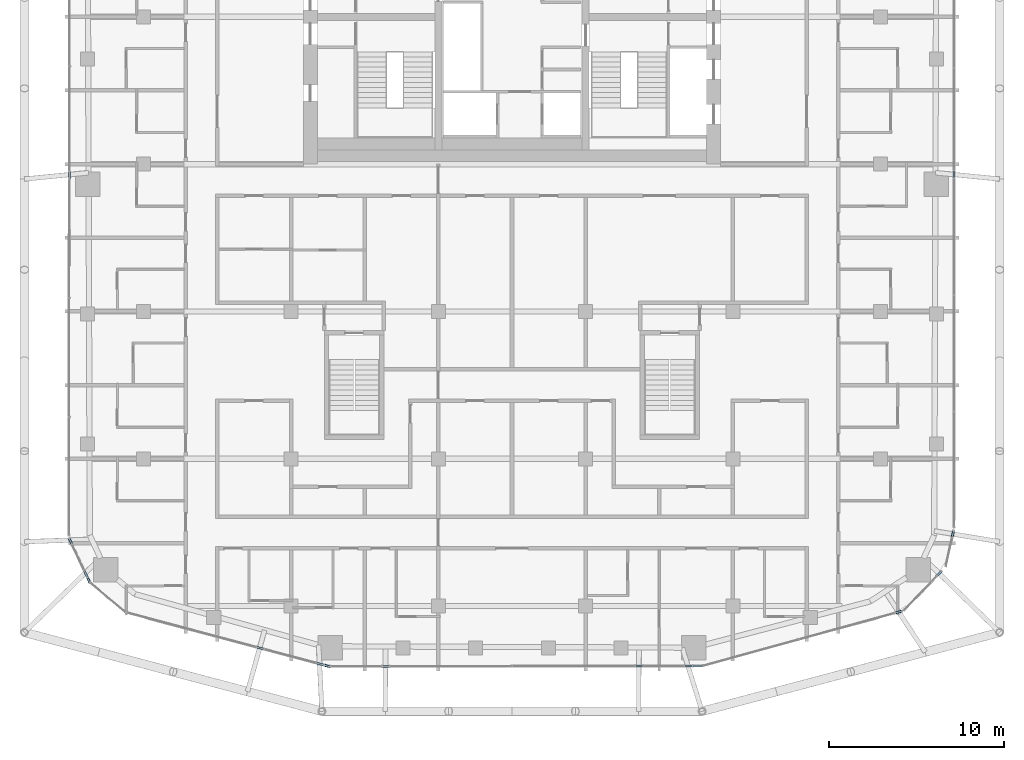
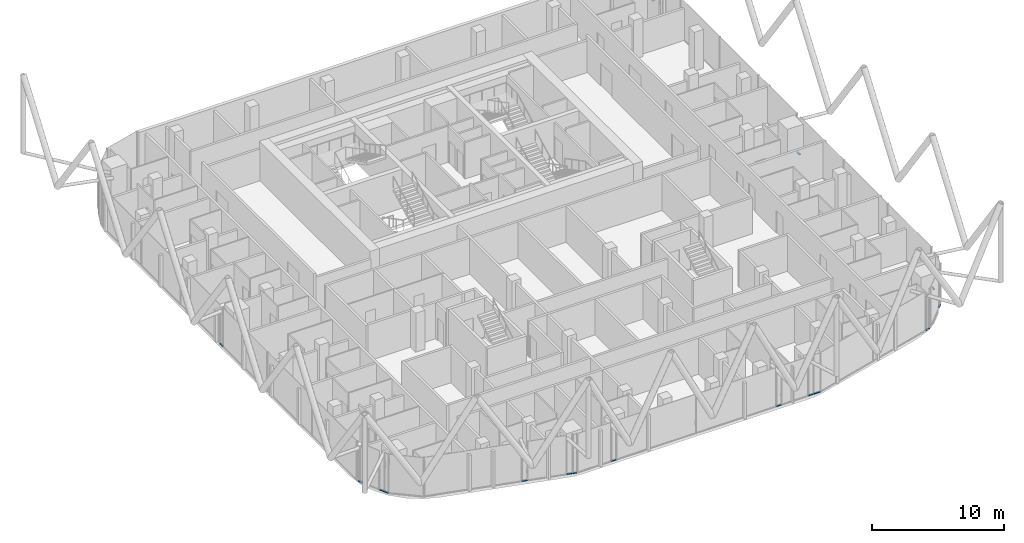
# One storey, part 12 of 31: 15 members, 15 elements without a shape of their own.
"""IFC4 building model written with IfcOpenShell, lengths in metres."""

from ifc_helpers import new_model, si_unit, direction, frame, origin, origin_2d, place, context, subcontext, project, spatial, rectangle, extrude, material, layer, layer_set, material_profile, profile_set, type_object, element, aggregate, save


model = new_model("IFC4")

# Units and contexts
model_context = context("Model", 3, precision=1e-05, world=origin(), true_north=direction((0.0, 1.0)))
body_context = subcontext(model_context, "Body", "Model", "MODEL_VIEW")
ifc_project = project(units=[si_unit("LENGTHUNIT", "METRE"), si_unit("AREAUNIT", "SQUARE_METRE"), si_unit("VOLUMEUNIT", "CUBIC_METRE"), si_unit("PLANEANGLEUNIT", "RADIAN"), si_unit("MASSUNIT", "GRAM", prefix="KILO")], contexts=[model_context])

# Site, building, storey
site_placement = place(None, origin())
site = spatial("IfcSite", under=ifc_project, at=site_placement, CompositionType="ELEMENT")
building_placement = place(site_placement, origin())
building = spatial("IfcBuilding", under=site, at=building_placement, Name="Marenta Gate Hotel Tower", CompositionType="ELEMENT")
storey_placement = place(building_placement, frame((0.0, 0.0, 191.300048828125)))
storey = spatial("IfcBuildingStorey", under=building, at=storey_placement, Name="L43", CompositionType="ELEMENT", Elevation=191.300048828125)

# Curtain wall, member
ifc_material_1 = material(Name="Tinted insulated glass in bronze anodised frame", Category="glass")
ifc_layer = layer(ifc_material_1, 0.1201171875)
ifc_layer_set = layer_set([ifc_layer], Name="Tinted insulated glass in bronze anodised frame")
curtain_wall_type = type_object("IfcCurtainWallType", Name="Tower unitised curtain wall CW1", PredefinedType="NOTDEFINED", material=ifc_layer_set)
curtain_wall_1_placement = place(storey_placement, origin())
curtain_wall_1 = element("IfcCurtainWall", 1, at=curtain_wall_1_placement, inside=storey, type_object=curtain_wall_type, Name="CW1 run G07", PredefinedType="NOTDEFINED")
ifc_material_2 = material(Name="Bronze anodised aluminium", Category="aluminium")
ifc_material_profile = material_profile(ifc_material_2, rectangle(XDim=0.1201171875, YDim=0.06005859375, at=origin_2d()), Name="Transom CW1 60x120 bronze anodised aluminium")
ifc_profile_set = profile_set([ifc_material_profile], Name="Bronze anodised aluminium")
member_type = type_object("IfcMemberType", Name="Transom CW1 60x120 bronze anodised aluminium", PredefinedType="USERDEFINED", material=ifc_profile_set)
member_1_placement = place(storey_placement, frame((-25.240478515625, -0.430419921875, 0.030029296875), z_axis=(-0.001235329508, -0.99999923698, 0.0), x_axis=(0.99999923698, -0.001235329508, 0.0)))
member_1 = element("IfcMember", 2, at=member_1_placement, type_object=member_type, Name="CW1 transom 1.1", ObjectType="TRANSOM", PredefinedType="USERDEFINED", context=body_context, shape_type="SweptSolid", body=[
    extrude(rectangle(XDim=0.1201171875, YDim=0.06005859375, at=origin_2d()), origin(), (0.0, 0.0, 1.0), 0.395263671875),
])
aggregate(curtain_wall_1, [member_1])

curtain_wall_2_placement = place(storey_placement, origin())
curtain_wall_2 = element("IfcCurtainWall", 3, at=curtain_wall_2_placement, inside=storey, type_object=curtain_wall_type, Name="CW1 run G09", PredefinedType="NOTDEFINED")
member_2_placement = place(storey_placement, frame((-25.24755859375, -21.34814453125, 0.030029296875), z_axis=(0.423272916218, -0.906002228693, 0.0), x_axis=(0.906002228693, 0.423272916218, 0.0)))
member_2 = element("IfcMember", 4, at=member_2_placement, type_object=member_type, Name="CW1 transom 1.1", ObjectType="TRANSOM", PredefinedType="USERDEFINED", context=body_context, shape_type="SweptSolid", body=[
    extrude(rectangle(XDim=0.1201171875, YDim=0.06005859375, at=origin_2d()), origin(), (0.0, 0.0, 1.0), 0.344970703125),
])
aggregate(curtain_wall_2, [member_2])

curtain_wall_3_placement = place(storey_placement, origin())
curtain_wall_3 = element("IfcCurtainWall", 5, at=curtain_wall_3_placement, inside=storey, type_object=curtain_wall_type, Name="CW1 run G11", PredefinedType="NOTDEFINED")
member_3_placement = place(storey_placement, frame((-24.406005859375, -23.149169921875, 0.030029296875), z_axis=(0.42333108841, -0.905975049097, 0.0), x_axis=(0.905975049097, 0.42333108841, 0.0)))
member_3 = element("IfcMember", 6, at=member_3_placement, type_object=member_type, Name="CW1 transom 1.1", ObjectType="TRANSOM", PredefinedType="USERDEFINED", context=body_context, shape_type="SweptSolid", body=[
    extrude(rectangle(XDim=0.1201171875, YDim=0.06005859375, at=origin_2d()), origin(), (0.0, 0.0, 1.0), 0.419921875),
])
aggregate(curtain_wall_3, [member_3])

curtain_wall_4_placement = place(storey_placement, origin())
curtain_wall_4 = element("IfcCurtainWall", 7, at=curtain_wall_4_placement, inside=storey, type_object=curtain_wall_type, Name="CW1 run G12", PredefinedType="NOTDEFINED")
member_4_placement = place(storey_placement, frame((-24.202880859375, -23.583740234375, 0.030029296875), z_axis=(0.422602733719, -0.90631502771, 0.0), x_axis=(0.90631502771, 0.422602733719, 0.0)))
member_4 = element("IfcMember", 8, at=member_4_placement, type_object=member_type, Name="CW1 transom 1.1", ObjectType="TRANSOM", PredefinedType="USERDEFINED", context=body_context, shape_type="SweptSolid", body=[
    extrude(rectangle(XDim=0.1201171875, YDim=0.06005859375, at=origin_2d()), origin(), (0.0, 0.0, 1.0), 0.28369140625),
])
aggregate(curtain_wall_4, [member_4])

curtain_wall_5_placement = place(storey_placement, origin())
curtain_wall_5 = element("IfcCurtainWall", 9, at=curtain_wall_5_placement, inside=storey, type_object=curtain_wall_type, Name="CW1 run G15", PredefinedType="NOTDEFINED")
member_5_placement = place(storey_placement, frame((-14.55029296875, -27.544677734375, 0.030029296875), z_axis=(0.966379102199, -0.257121432076, 0.0), x_axis=(0.257121432076, 0.966379102199, 0.0)))
member_5 = element("IfcMember", 10, at=member_5_placement, type_object=member_type, Name="CW1 transom 1.1", ObjectType="TRANSOM", PredefinedType="USERDEFINED", context=body_context, shape_type="SweptSolid", body=[
    extrude(rectangle(XDim=0.1201171875, YDim=0.06005859375, at=origin_2d()), origin(), (0.0, 0.0, 1.0), 0.39306640625),
])
aggregate(curtain_wall_5, [member_5])

curtain_wall_6_placement = place(storey_placement, origin())
curtain_wall_6 = element("IfcCurtainWall", 11, at=curtain_wall_6_placement, inside=storey, type_object=curtain_wall_type, Name="CW1 run G17", PredefinedType="NOTDEFINED")
member_6_placement = place(storey_placement, frame((-11.14599609375, -28.450439453125, 0.030029296875), z_axis=(0.966371226399, -0.257151031083, 0.0), x_axis=(0.257151031083, 0.966371226399, 0.0)))
member_6 = element("IfcMember", 12, at=member_6_placement, type_object=member_type, Name="CW1 transom 1.1", ObjectType="TRANSOM", PredefinedType="USERDEFINED", context=body_context, shape_type="SweptSolid", body=[
    extrude(rectangle(XDim=0.1201171875, YDim=0.06005859375, at=origin_2d()), origin(), (0.0, 0.0, 1.0), 0.415771484375),
])
aggregate(curtain_wall_6, [member_6])

curtain_wall_7_placement = place(storey_placement, origin())
curtain_wall_7 = element("IfcCurtainWall", 13, at=curtain_wall_7_placement, inside=storey, type_object=curtain_wall_type, Name="CW1 run G18", PredefinedType="NOTDEFINED")
member_7_placement = place(storey_placement, frame((-10.686279296875, -28.57275390625, 0.030029296875), z_axis=(0.966262873917, -0.257557874058, 0.0), x_axis=(0.257557874058, 0.966262873917, 0.0)))
member_7 = element("IfcMember", 14, at=member_7_placement, type_object=member_type, Name="CW1 transom 1.1", ObjectType="TRANSOM", PredefinedType="USERDEFINED", context=body_context, shape_type="SweptSolid", body=[
    extrude(rectangle(XDim=0.1201171875, YDim=0.06005859375, at=origin_2d()), origin(), (0.0, 0.0, 1.0), 0.2900390625),
])
aggregate(curtain_wall_7, [member_7])

curtain_wall_8_placement = place(storey_placement, origin())
curtain_wall_8 = element("IfcCurtainWall", 15, at=curtain_wall_8_placement, inside=storey, type_object=curtain_wall_type, Name="CW1 run G20", PredefinedType="NOTDEFINED")
member_8_placement = place(storey_placement, frame((-7.3828125, -28.642578125, 0.030029296875), z_axis=(0.99999826396, 0.001863350802, 0.0), x_axis=(-0.001863350802, 0.99999826396, 0.0)))
member_8 = element("IfcMember", 16, at=member_8_placement, type_object=member_type, Name="CW1 transom 1.1", ObjectType="TRANSOM", PredefinedType="USERDEFINED", context=body_context, shape_type="SweptSolid", body=[
    extrude(rectangle(XDim=0.1201171875, YDim=0.06005859375, at=origin_2d()), origin(), (0.0, 0.0, 1.0), 0.39306640625),
])
aggregate(curtain_wall_8, [member_8])

curtain_wall_9_placement = place(storey_placement, origin())
curtain_wall_9 = element("IfcCurtainWall", 17, at=curtain_wall_9_placement, inside=storey, type_object=curtain_wall_type, Name="CW1 run G22", PredefinedType="NOTDEFINED")
member_9_placement = place(storey_placement, frame((7.0693359375, -28.618896484375, 0.030029296875), z_axis=(0.99999826396, 0.001863350802, 0.0), x_axis=(-0.001863350802, 0.99999826396, 0.0)))
member_9 = element("IfcMember", 18, at=member_9_placement, type_object=member_type, Name="CW1 transom 1.1", ObjectType="TRANSOM", PredefinedType="USERDEFINED", context=body_context, shape_type="SweptSolid", body=[
    extrude(rectangle(XDim=0.1201171875, YDim=0.06005859375, at=origin_2d()), origin(), (0.0, 0.0, 1.0), 0.39306640625),
])
aggregate(curtain_wall_9, [member_9])

curtain_wall_10_placement = place(storey_placement, origin())
curtain_wall_10 = element("IfcCurtainWall", 19, at=curtain_wall_10_placement, inside=storey, type_object=curtain_wall_type, Name="CW1 run G24", PredefinedType="NOTDEFINED")
member_10_placement = place(storey_placement, frame((9.85498046875, -28.6142578125, 0.030029296875), z_axis=(0.9999984374, 0.001767822812, 0.0), x_axis=(-0.001767822812, 0.9999984374, 0.0)))
member_10 = element("IfcMember", 20, at=member_10_placement, type_object=member_type, Name="CW1 transom 1.1", ObjectType="TRANSOM", PredefinedType="USERDEFINED", context=body_context, shape_type="SweptSolid", body=[
    extrude(rectangle(XDim=0.1201171875, YDim=0.06005859375, at=origin_2d()), origin(), (0.0, 0.0, 1.0), 0.414306640625),
])
aggregate(curtain_wall_10, [member_10])

curtain_wall_11_placement = place(storey_placement, origin())
curtain_wall_11 = element("IfcCurtainWall", 21, at=curtain_wall_11_placement, inside=storey, type_object=curtain_wall_type, Name="CW1 run G25", PredefinedType="NOTDEFINED")
member_11_placement = place(storey_placement, frame((10.3291015625, -28.61328125, 0.030029296875), z_axis=(0.999999095908, 0.001344687265, 0.0), x_axis=(-0.001344687265, 0.999999095908, 0.0)))
member_11 = element("IfcMember", 22, at=member_11_placement, type_object=member_type, Name="CW1 transom 1.1", ObjectType="TRANSOM", PredefinedType="USERDEFINED", context=body_context, shape_type="SweptSolid", body=[
    extrude(rectangle(XDim=0.1201171875, YDim=0.06005859375, at=origin_2d()), origin(), (0.0, 0.0, 1.0), 0.544677734375),
])
aggregate(curtain_wall_11, [member_11])

curtain_wall_12_placement = place(storey_placement, origin())
curtain_wall_12 = element("IfcCurtainWall", 23, at=curtain_wall_12_placement, inside=storey, type_object=curtain_wall_type, Name="CW1 run G27", PredefinedType="NOTDEFINED")
member_12_placement = place(storey_placement, frame((21.87744140625, -25.584716796875, 0.030029296875), z_axis=(0.964240401842, 0.26502914454, 0.0), x_axis=(-0.26502914454, 0.964240401842, 0.0)))
member_12 = element("IfcMember", 24, at=member_12_placement, type_object=member_type, Name="CW1 transom 1.1", ObjectType="TRANSOM", PredefinedType="USERDEFINED", context=body_context, shape_type="SweptSolid", body=[
    extrude(rectangle(XDim=0.1201171875, YDim=0.06005859375, at=origin_2d()), origin(), (0.0, 0.0, 1.0), 0.3564453125),
])
aggregate(curtain_wall_12, [member_12])

curtain_wall_13_placement = place(storey_placement, origin())
curtain_wall_13 = element("IfcCurtainWall", 25, at=curtain_wall_13_placement, inside=storey, type_object=curtain_wall_type, Name="CW1 run G29", PredefinedType="NOTDEFINED")
member_13_placement = place(storey_placement, frame((24.244873046875, -23.461669921875, 0.030029296875), z_axis=(0.69228754022, 0.721621758026, 0.0), x_axis=(-0.721621758026, 0.69228754022, 0.0)))
member_13 = element("IfcMember", 26, at=member_13_placement, type_object=member_type, Name="CW1 transom 1.1", ObjectType="TRANSOM", PredefinedType="USERDEFINED", context=body_context, shape_type="SweptSolid", body=[
    extrude(rectangle(XDim=0.1201171875, YDim=0.06005859375, at=origin_2d()), origin(), (0.0, 0.0, 1.0), 0.3330078125),
])
aggregate(curtain_wall_13, [member_13])

curtain_wall_14_placement = place(storey_placement, origin())
curtain_wall_14 = element("IfcCurtainWall", 27, at=curtain_wall_14_placement, inside=storey, type_object=curtain_wall_type, Name="CW1 run G31", PredefinedType="NOTDEFINED")
member_14_placement = place(storey_placement, frame((25.1005859375, -21.254638671875, 0.030029296875), z_axis=(0.216620497047, 0.976255888719, 0.0), x_axis=(-0.976255888719, 0.216620497047, 0.0)))
member_14 = element("IfcMember", 28, at=member_14_placement, type_object=member_type, Name="CW1 transom 1.1", ObjectType="TRANSOM", PredefinedType="USERDEFINED", context=body_context, shape_type="SweptSolid", body=[
    extrude(rectangle(XDim=0.1201171875, YDim=0.06005859375, at=origin_2d()), origin(), (0.0, 0.0, 1.0), 0.33349609375),
])
aggregate(curtain_wall_14, [member_14])

curtain_wall_15_placement = place(storey_placement, origin())
curtain_wall_15 = element("IfcCurtainWall", 29, at=curtain_wall_15_placement, inside=storey, type_object=curtain_wall_type, Name="CW1 run G33", PredefinedType="NOTDEFINED")
member_15_placement = place(storey_placement, frame((25.214111328125, -0.762939453125, 0.030029296875), z_axis=(0.0, 1.0, 0.0), x_axis=(-1.0, 0.0, 0.0)))
member_15 = element("IfcMember", 30, at=member_15_placement, type_object=member_type, Name="CW1 transom 1.1", ObjectType="TRANSOM", PredefinedType="USERDEFINED", context=body_context, shape_type="SweptSolid", body=[
    extrude(rectangle(XDim=0.1201171875, YDim=0.06005859375, at=origin_2d()), origin(), (0.0, 0.0, 1.0), 0.39501953125),
])
aggregate(curtain_wall_15, [member_15])

save(model, "model.ifc")
